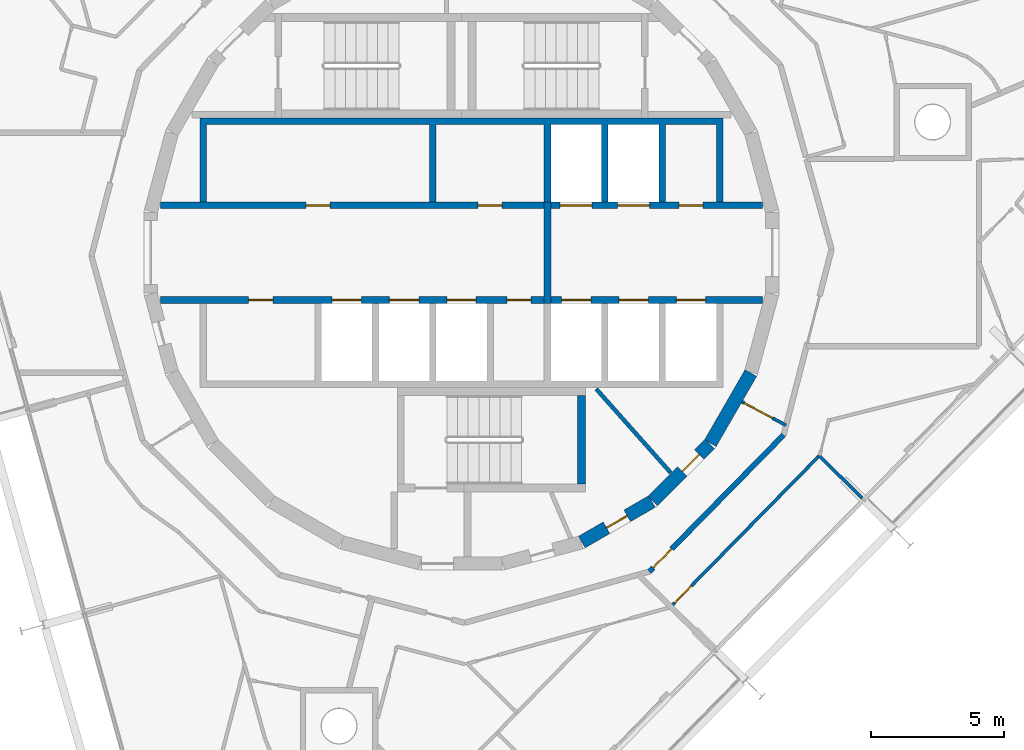
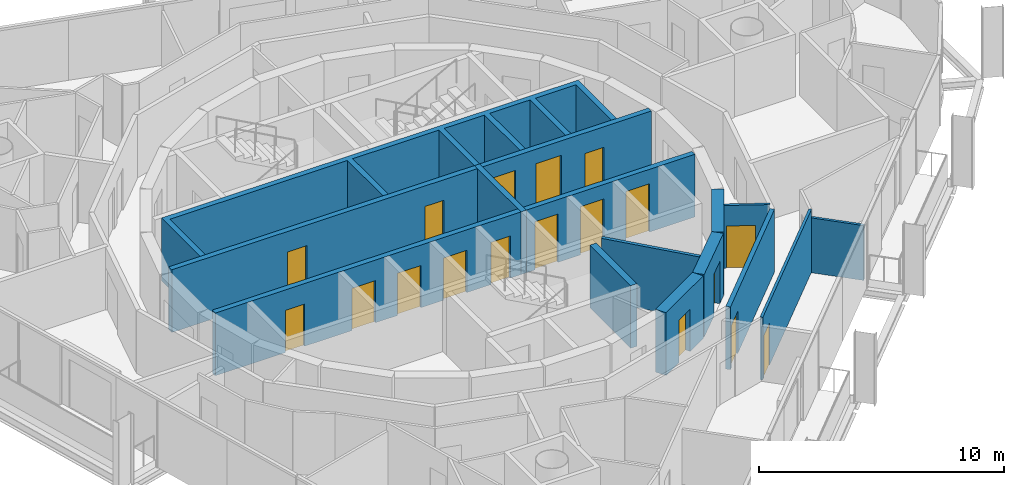
# One storey, part 11 of 15: 18 doors, 15 walls, 18 openings.
"""IFC4 building model written with IfcOpenShell, lengths in metres."""

from ifc_helpers import new_model, si_unit, direction, frame, frame_2d, origin, place, context, subcontext, project, spatial, polyline, rectangle, outline, extrude, material, layer, layer_set, type_object, element, fill, save


model = new_model("IFC4")

# Units and contexts
model_context = context("Model", 3, precision=1e-05, world=origin(), true_north=direction((0.0, 1.0)))
body_context = subcontext(model_context, "Body", "Model", "MODEL_VIEW")
ifc_project = project(units=[si_unit("LENGTHUNIT", "METRE"), si_unit("AREAUNIT", "SQUARE_METRE"), si_unit("VOLUMEUNIT", "CUBIC_METRE"), si_unit("PLANEANGLEUNIT", "RADIAN"), si_unit("MASSUNIT", "GRAM", prefix="KILO")], contexts=[model_context])

# Site, building, storey
site_placement = place(None, origin())
site = spatial("IfcSite", under=ifc_project, at=site_placement, CompositionType="ELEMENT")
building_placement = place(site_placement, origin())
building = spatial("IfcBuilding", under=site, at=building_placement, Name="Spindle Arch Residences", CompositionType="ELEMENT")
storey_placement = place(building_placement, frame((0.0, 0.0, 305.199951171875)))
storey = spatial("IfcBuildingStorey", under=building, at=storey_placement, Name="L78", CompositionType="ELEMENT", Elevation=305.199951171875)

# Wall, opening, door
ifc_material_1 = material(Name="Concrete C50/60", Category="concrete")
ifc_layer_1 = layer(ifc_material_1, 0.5)
ifc_layer_set_1 = layer_set([ifc_layer_1], Name="Core outline wall 500")
wall_type_1 = type_object("IfcWallType", Name="Core outline wall 500", PredefinedType="SHEAR", material=ifc_layer_set_1)
wall_1_placement = place(storey_placement, frame((4.510498046875, -10.84521484375, 0.0), z_axis=(0.0, 0.0, 1.0), x_axis=(0.865975092491, 0.500087131594, 0.0)))
wall_1 = element("IfcWall", 1, at=wall_1_placement, inside=storey, type_object=wall_type_1, Name="Core outline wall 2", PredefinedType="SHEAR", context=body_context, shape_type="SweptSolid", body=[
    extrude(rectangle(XDim=3.03271484375, YDim=0.5, at=frame_2d((1.516357421875, 0.0))), origin(), (0.0, 0.0, 1.0), 3.1201171875),
])
opening_1_placement = place(wall_1_placement, frame((1.06640625, 0.0, 0.0)))
opening_1 = element("IfcOpeningElement", 2, at=opening_1_placement, cuts=wall_1, Name="Opening R8A0-WD09", PredefinedType="OPENING", context=body_context, shape_type="SweptSolid", body=[
    extrude(rectangle(XDim=0.89990234375, YDim=2.10009765625, at=frame_2d((0.449951171875, 1.050048828125))), frame((0.0, 0.260009765625, 0.0), z_axis=(0.0, -1.0, 0.0), x_axis=(1.0, 0.0, 0.0)), (0.0, 0.0, 1.0), 0.52001953125),
])
ifc_material_2 = material(Name="Steel, fire-resisting door", Category="steel")
door_type_1 = type_object("IfcDoorType", Name="Service room door 900x2100", OperationType="SINGLE_SWING_LEFT", PredefinedType="DOOR", material=ifc_material_2)
door_1_placement = place(opening_1_placement, origin())
door_1 = element("IfcDoor", 3, at=door_1_placement, inside=storey, type_object=door_type_1, Name="Service room door R8A0-WD09", OperationType="SINGLE_SWING_LEFT", OverallHeight=2.10009765625, OverallWidth=0.89990234375, PredefinedType="DOOR", context=body_context, shape_type="SweptSolid", body=[
    extrude(rectangle(XDim=0.89990234375, YDim=2.10009765625, at=frame_2d((0.449951171875, 1.050048828125))), frame((0.0, 0.02490234375, 0.0), z_axis=(0.0, -1.0, 0.0), x_axis=(1.0, 0.0, 0.0)), (0.0, 0.0, 1.0), 0.050048828125),
])
fill(opening_1, door_1)

wall_2_placement = place(storey_placement, frame((7.163818359375, -9.30810546875, 0.0), z_axis=(0.0, 0.0, 1.0), x_axis=(0.707106781187, 0.707106781187, 0.0)))
wall_2 = element("IfcWall", 4, at=wall_2_placement, inside=storey, type_object=wall_type_1, Name="Core outline wall 3", PredefinedType="SHEAR", context=body_context, shape_type="SweptSolid", body=[
    extrude(rectangle(XDim=3.032470703125, YDim=0.5, at=frame_2d((1.51611328125, 0.0))), origin(), (0.0, 0.0, 1.0), 3.1201171875),
])
opening_2_placement = place(wall_2_placement, frame((1.56640625, 0.0, 0.0)))
opening_2 = element("IfcOpeningElement", 5, at=opening_2_placement, cuts=wall_2, Name="Opening R8A0-WD07", PredefinedType="OPENING", context=body_context, shape_type="SweptSolid", body=[
    extrude(rectangle(XDim=0.89990234375, YDim=2.10009765625, at=frame_2d((0.449951171875, 1.050048828125))), frame((0.0, 0.260009765625, 0.0), z_axis=(0.0, -1.0, 0.0), x_axis=(1.0, 0.0, 0.0)), (0.0, 0.0, 1.0), 0.52001953125),
])
door_2_placement = place(opening_2_placement, origin())
door_2 = element("IfcDoor", 6, at=door_2_placement, inside=storey, type_object=door_type_1, Name="Service room door R8A0-WD07", OperationType="SINGLE_SWING_LEFT", OverallHeight=2.10009765625, OverallWidth=0.89990234375, PredefinedType="DOOR", context=body_context, shape_type="SweptSolid", body=[
    extrude(rectangle(XDim=0.89990234375, YDim=2.10009765625, at=frame_2d((0.449951171875, 1.050048828125))), frame((0.0, 0.02490234375, 0.0), z_axis=(0.0, -1.0, 0.0), x_axis=(1.0, 0.0, 0.0)), (0.0, 0.0, 1.0), 0.050048828125),
])
fill(opening_2, door_2)

# Wall
wall_3_placement = place(storey_placement, frame((9.32861328125, -7.13671875, 0.0), z_axis=(0.0, 0.0, 1.0), x_axis=(0.500087131594, 0.865975092491, 0.0)))
element("IfcWall", 7, at=wall_3_placement, inside=storey, type_object=wall_type_1, Name="Core outline wall 4", PredefinedType="SHEAR", context=body_context, shape_type="SweptSolid", body=[
    extrude(rectangle(XDim=3.03271484375, YDim=0.5, at=frame_2d((1.516357421875, 0.0))), origin(), (0.0, 0.0, 1.0), 3.1201171875),
])

# Wall, opening, door
ifc_material_3 = material(Name="Plasterboard on steel studs", Category="steel")
ifc_layer_2 = layer(ifc_material_3, 0.1201171875)
ifc_layer_set_2 = layer_set([ifc_layer_2], Name="Corridor division wall 120")
wall_type_2 = type_object("IfcWallType", Name="Corridor division wall 120", PredefinedType="PARTITIONING", material=ifc_layer_set_2)
wall_4_placement = place(storey_placement, frame((10.510986328125, -5.5888671875, 0.0), z_axis=(0.0, 0.0, 1.0), x_axis=(0.882957311919, -0.469453283437, 0.0)))
wall_4 = element("IfcWall", 8, at=wall_4_placement, inside=storey, type_object=wall_type_2, Name="Corridor division wall R8A0-W002", PredefinedType="PARTITIONING", context=body_context, shape_type="SweptSolid", body=[
    extrude(rectangle(XDim=1.87646484375, YDim=0.1201171875, at=frame_2d((0.938232421875, 0.0))), origin(), (0.0, 0.0, 1.0), 3.1201171875),
])
opening_3_placement = place(wall_4_placement, frame((0.10009765625, 0.0, 0.0)))
opening_3 = element("IfcOpeningElement", 9, at=opening_3_placement, cuts=wall_4, Name="Opening R8A0-CD02", PredefinedType="OPENING", context=body_context, shape_type="SweptSolid", body=[
    extrude(rectangle(XDim=1.199951171875, YDim=2.10009765625, at=frame_2d((0.60009765625, 1.050048828125))), frame((0.0, 0.070068359375, 0.0), z_axis=(0.0, -1.0, 0.0), x_axis=(1.0, 0.0, 0.0)), (0.0, 0.0, 1.0), 0.14013671875),
])
ifc_material_4 = material(Name="Steel, fire-resisting door", Category="steel")
door_type_2 = type_object("IfcDoorType", Name="Corridor division door 1200x2100", OperationType="NOTDEFINED", PredefinedType="DOOR", material=ifc_material_4)
door_3_placement = place(opening_3_placement, origin())
door_3 = element("IfcDoor", 10, at=door_3_placement, inside=storey, type_object=door_type_2, Name="Corridor division door R8A0-CD02", OperationType="DOUBLE_DOOR_SINGLE_SWING", OverallHeight=2.10009765625, OverallWidth=1.199951171875, PredefinedType="DOOR", context=body_context, shape_type="SweptSolid", body=[
    extrude(rectangle(XDim=1.199951171875, YDim=2.10009765625, at=frame_2d((0.60009765625, 1.050048828125))), frame((0.0, 0.02490234375, 0.0), z_axis=(0.0, -1.0, 0.0), x_axis=(1.0, 0.0, 0.0)), (0.0, 0.0, 1.0), 0.050048828125),
])
fill(opening_3, door_3)

ifc_material_5 = material(Name="Calcium silicate block, plastered")
ifc_layer_3 = layer(ifc_material_5, 0.199951171875)
ifc_layer_set_3 = layer_set([ifc_layer_3], Name="Corridor wall 200")
wall_type_3 = type_object("IfcWallType", Name="Corridor wall 200", PredefinedType="STANDARD", material=ifc_layer_set_3)
wall_5_placement = place(storey_placement, frame((7.041015625, -11.953125, 0.0), z_axis=(0.0, 0.0, 1.0), x_axis=(0.70090916255, 0.713250549143, 0.0)))
wall_5 = element("IfcWall", 11, at=wall_5_placement, inside=storey, type_object=wall_type_3, Name="Corridor wall R8A0-W016", PredefinedType="STANDARD", context=body_context, shape_type="SweptSolid", body=[
    extrude(rectangle(XDim=7.180908203125, YDim=0.199951171875, at=frame_2d((3.59033203125, 0.0))), origin(), (0.0, 0.0, 1.0), 3.1201171875),
])
opening_4_placement = place(wall_5_placement, frame((0.199951171875, 0.0, 0.0)))
opening_4 = element("IfcOpeningElement", 12, at=opening_4_placement, cuts=wall_5, Name="Opening R8A0-FD06", PredefinedType="OPENING", context=body_context, shape_type="SweptSolid", body=[
    extrude(rectangle(XDim=1.0, YDim=2.10009765625, at=frame_2d((0.5, 1.050048828125))), frame((0.0, 0.10986328125, 0.0), z_axis=(0.0, -1.0, 0.0), x_axis=(1.0, 0.0, 0.0)), (0.0, 0.0, 1.0), 0.219970703125),
])
ifc_material_6 = material(Name="Timber, fire-resisting door set", Category="wood")
door_type_3 = type_object("IfcDoorType", Name="Flat entrance door 1000x2100", OperationType="NOTDEFINED", PredefinedType="DOOR", material=ifc_material_6)
door_4_placement = place(opening_4_placement, origin())
door_4 = element("IfcDoor", 13, at=door_4_placement, inside=storey, type_object=door_type_3, Name="Flat entrance door R8A0-FD06", OperationType="SINGLE_SWING_LEFT", OverallHeight=2.10009765625, OverallWidth=1.0, PredefinedType="DOOR", context=body_context, shape_type="SweptSolid", body=[
    extrude(rectangle(XDim=1.0, YDim=2.10009765625, at=frame_2d((0.5, 1.050048828125))), frame((0.0, 0.02490234375, 0.0), z_axis=(0.0, -1.0, 0.0), x_axis=(1.0, 0.0, 0.0)), (0.0, 0.0, 1.0), 0.050048828125),
])
fill(opening_4, door_4)

# Wall, openings, doors
ifc_material_7 = material(Name="Concrete C40/50", Category="concrete")
ifc_layer_4 = layer(ifc_material_7, 0.25)
ifc_layer_set_4 = layer_set([ifc_layer_4], Name="Fire-lift lobby wall 250")
wall_type_4 = type_object("IfcWallType", Name="Fire-lift lobby wall 250", PredefinedType="SHEAR", material=ifc_layer_set_4)
wall_6_placement = place(storey_placement, frame((3.35009765625, 1.77490234375, 0.0), z_axis=(0.0, 0.0, 1.0), x_axis=(1.0, 0.0, 0.0)))
wall_6 = element("IfcWall", 14, at=wall_6_placement, inside=storey, type_object=wall_type_4, Name="Lift shaft front wall NE", PredefinedType="SHEAR", context=body_context, shape_type="SweptSolid", body=[
    extrude(rectangle(XDim=7.929931640625, YDim=0.25, at=frame_2d((3.96484375, 0.0))), origin(), (0.0, 0.0, 1.0), 3.1201171875),
])
opening_5_placement = place(wall_6_placement, frame((0.35009765625, 0.0, 0.0)))
opening_5 = element("IfcOpeningElement", 15, at=opening_5_placement, cuts=wall_6, Name="Opening R8A0-SLD01", PredefinedType="OPENING", context=body_context, shape_type="SweptSolid", body=[
    extrude(rectangle(XDim=1.199951171875, YDim=2.39990234375, at=frame_2d((0.60009765625, 1.199951171875))), frame((0.0, 0.135009765625, 0.0), z_axis=(0.0, -1.0, 0.0), x_axis=(1.0, 0.0, 0.0)), (0.0, 0.0, 1.0), 0.27001953125),
])
opening_6_placement = place(wall_6_placement, frame((2.5, 0.0, 0.0)))
opening_6 = element("IfcOpeningElement", 16, at=opening_6_placement, cuts=wall_6, Name="Opening R8A0-SLD02", PredefinedType="OPENING", context=body_context, shape_type="SweptSolid", body=[
    extrude(rectangle(XDim=1.199951171875, YDim=2.39990234375, at=frame_2d((0.60009765625, 1.199951171875))), frame((0.0, 0.135009765625, 0.0), z_axis=(0.0, -1.0, 0.0), x_axis=(1.0, 0.0, 0.0)), (0.0, 0.0, 1.0), 0.27001953125),
])
opening_7_placement = place(wall_6_placement, frame((4.800048828125, 0.0, 0.0)))
opening_7 = element("IfcOpeningElement", 17, at=opening_7_placement, cuts=wall_6, Name="Opening R8A0-WD03", PredefinedType="OPENING", context=body_context, shape_type="SweptSolid", body=[
    extrude(rectangle(XDim=0.89990234375, YDim=2.10009765625, at=frame_2d((0.449951171875, 1.050048828125))), frame((0.0, 0.135009765625, 0.0), z_axis=(0.0, -1.0, 0.0), x_axis=(1.0, 0.0, 0.0)), (0.0, 0.0, 1.0), 0.27001953125),
])
ifc_material_8 = material(Name="Steel, fire-resisting landing door", Category="steel")
door_type_4 = type_object("IfcDoorType", Name="Service lift landing door 1200x2400", OperationType="DOUBLE_DOOR_SLIDING", PredefinedType="DOOR", material=ifc_material_8)
door_5_placement = place(opening_5_placement, origin())
door_5 = element("IfcDoor", 18, at=door_5_placement, inside=storey, type_object=door_type_4, Name="Service lift landing door R8A0-SLD01", OperationType="DOUBLE_DOOR_SLIDING", OverallHeight=2.39990234375, OverallWidth=1.199951171875, PredefinedType="DOOR", context=body_context, shape_type="SweptSolid", body=[
    extrude(rectangle(XDim=1.199951171875, YDim=2.39990234375, at=frame_2d((0.60009765625, 1.199951171875))), frame((0.0, 0.02490234375, 0.0), z_axis=(0.0, -1.0, 0.0), x_axis=(1.0, 0.0, 0.0)), (0.0, 0.0, 1.0), 0.050048828125),
])
fill(opening_5, door_5)
door_6_placement = place(opening_6_placement, origin())
door_6 = element("IfcDoor", 19, at=door_6_placement, inside=storey, type_object=door_type_4, Name="Service lift landing door R8A0-SLD02", OperationType="DOUBLE_DOOR_SLIDING", OverallHeight=2.39990234375, OverallWidth=1.199951171875, PredefinedType="DOOR", context=body_context, shape_type="SweptSolid", body=[
    extrude(rectangle(XDim=1.199951171875, YDim=2.39990234375, at=frame_2d((0.60009765625, 1.199951171875))), frame((0.0, 0.02490234375, 0.0), z_axis=(0.0, -1.0, 0.0), x_axis=(1.0, 0.0, 0.0)), (0.0, 0.0, 1.0), 0.050048828125),
])
fill(opening_6, door_6)
door_7_placement = place(opening_7_placement, origin())
door_7 = element("IfcDoor", 20, at=door_7_placement, inside=storey, type_object=door_type_1, Name="Service room door R8A0-WD03", OperationType="SINGLE_SWING_LEFT", OverallHeight=2.10009765625, OverallWidth=0.89990234375, PredefinedType="DOOR", context=body_context, shape_type="SweptSolid", body=[
    extrude(rectangle(XDim=0.89990234375, YDim=2.10009765625, at=frame_2d((0.449951171875, 1.050048828125))), frame((0.0, 0.02490234375, 0.0), z_axis=(0.0, -1.0, 0.0), x_axis=(1.0, 0.0, 0.0)), (0.0, 0.0, 1.0), 0.050048828125),
])
fill(opening_7, door_7)

# Wall
wall_7_placement = place(storey_placement, frame((3.22509765625, -1.89990234375, 0.0), z_axis=(0.0, 0.0, 1.0), x_axis=(0.0, 1.0, 0.0)))
element("IfcWall", 21, at=wall_7_placement, inside=storey, type_object=wall_type_4, Name="Fire-fighting lobby partition", PredefinedType="SHEAR", context=body_context, shape_type="SweptSolid", body=[
    extrude(rectangle(XDim=3.7998046875, YDim=0.25, at=frame_2d((1.89990234375, 0.0))), origin(), (0.0, 0.0, 1.0), 3.1201171875),
])

# Wall, openings, doors
ifc_material_9 = material(Name="Concrete C50/60", Category="concrete")
ifc_layer_5 = layer(ifc_material_9, 0.25)
ifc_layer_set_5 = layer_set([ifc_layer_5], Name="Fire-lift shaft wall 250")
wall_type_5 = type_object("IfcWallType", Name="Fire-lift shaft wall 250", PredefinedType="SHEAR", material=ifc_layer_set_5)
wall_8_placement = place(storey_placement, frame((3.35009765625, -1.77490234375, 0.0), z_axis=(0.0, 0.0, 1.0), x_axis=(1.0, 0.0, 0.0)))
wall_8 = element("IfcWall", 22, at=wall_8_placement, inside=storey, type_object=wall_type_5, Name="Lift shaft front wall SE", PredefinedType="SHEAR", context=body_context, shape_type="SweptSolid", body=[
    extrude(rectangle(XDim=7.929931640625, YDim=0.25, at=frame_2d((3.96484375, 0.0))), origin(), (0.0, 0.0, 1.0), 3.1201171875),
])
opening_8_placement = place(wall_8_placement, frame((0.39990234375, 0.0, 0.0)))
opening_8 = element("IfcOpeningElement", 23, at=opening_8_placement, cuts=wall_8, Name="Opening R8A0-FLD01", PredefinedType="OPENING", context=body_context, shape_type="SweptSolid", body=[
    extrude(rectangle(XDim=1.10009765625, YDim=2.39990234375, at=frame_2d((0.550048828125, 1.199951171875))), frame((0.0, 0.135009765625, 0.0), z_axis=(0.0, -1.0, 0.0), x_axis=(1.0, 0.0, 0.0)), (0.0, 0.0, 1.0), 0.27001953125),
])
opening_9_placement = place(wall_8_placement, frame((2.550048828125, 0.0, 0.0)))
opening_9 = element("IfcOpeningElement", 24, at=opening_9_placement, cuts=wall_8, Name="Opening R8A0-FLD02", PredefinedType="OPENING", context=body_context, shape_type="SweptSolid", body=[
    extrude(rectangle(XDim=1.10009765625, YDim=2.39990234375, at=frame_2d((0.550048828125, 1.199951171875))), frame((0.0, 0.135009765625, 0.0), z_axis=(0.0, -1.0, 0.0), x_axis=(1.0, 0.0, 0.0)), (0.0, 0.0, 1.0), 0.27001953125),
])
opening_10_placement = place(wall_8_placement, frame((4.699951171875, 0.0, 0.0)))
opening_10 = element("IfcOpeningElement", 25, at=opening_10_placement, cuts=wall_8, Name="Opening R8A0-FLD03", PredefinedType="OPENING", context=body_context, shape_type="SweptSolid", body=[
    extrude(rectangle(XDim=1.10009765625, YDim=2.39990234375, at=frame_2d((0.550048828125, 1.199951171875))), frame((0.0, 0.135009765625, 0.0), z_axis=(0.0, -1.0, 0.0), x_axis=(1.0, 0.0, 0.0)), (0.0, 0.0, 1.0), 0.27001953125),
])
ifc_material_10 = material(Name="Steel, fire-resisting landing door", Category="steel")
door_type_5 = type_object("IfcDoorType", Name="Fire-fighting lift landing door 1100x2400", OperationType="DOUBLE_DOOR_SLIDING", PredefinedType="DOOR", material=ifc_material_10)
door_8_placement = place(opening_8_placement, origin())
door_8 = element("IfcDoor", 26, at=door_8_placement, inside=storey, type_object=door_type_5, Name="Fire-fighting lift landing door R8A0-FLD01", OperationType="DOUBLE_DOOR_SLIDING", OverallHeight=2.39990234375, OverallWidth=1.10009765625, PredefinedType="DOOR", context=body_context, shape_type="SweptSolid", body=[
    extrude(rectangle(XDim=1.10009765625, YDim=2.39990234375, at=frame_2d((0.550048828125, 1.199951171875))), frame((0.0, 0.02490234375, 0.0), z_axis=(0.0, -1.0, 0.0), x_axis=(1.0, 0.0, 0.0)), (0.0, 0.0, 1.0), 0.050048828125),
])
fill(opening_8, door_8)
door_9_placement = place(opening_9_placement, origin())
door_9 = element("IfcDoor", 27, at=door_9_placement, inside=storey, type_object=door_type_5, Name="Fire-fighting lift landing door R8A0-FLD02", OperationType="DOUBLE_DOOR_SLIDING", OverallHeight=2.39990234375, OverallWidth=1.10009765625, PredefinedType="DOOR", context=body_context, shape_type="SweptSolid", body=[
    extrude(rectangle(XDim=1.10009765625, YDim=2.39990234375, at=frame_2d((0.550048828125, 1.199951171875))), frame((0.0, 0.02490234375, 0.0), z_axis=(0.0, -1.0, 0.0), x_axis=(1.0, 0.0, 0.0)), (0.0, 0.0, 1.0), 0.050048828125),
])
fill(opening_9, door_9)
door_10_placement = place(opening_10_placement, origin())
door_10 = element("IfcDoor", 28, at=door_10_placement, inside=storey, type_object=door_type_5, Name="Fire-fighting lift landing door R8A0-FLD03", OperationType="DOUBLE_DOOR_SLIDING", OverallHeight=2.39990234375, OverallWidth=1.10009765625, PredefinedType="DOOR", context=body_context, shape_type="SweptSolid", body=[
    extrude(rectangle(XDim=1.10009765625, YDim=2.39990234375, at=frame_2d((0.550048828125, 1.199951171875))), frame((0.0, 0.02490234375, 0.0), z_axis=(0.0, -1.0, 0.0), x_axis=(1.0, 0.0, 0.0)), (0.0, 0.0, 1.0), 0.050048828125),
])
fill(opening_10, door_10)

# Wall, opening, door
ifc_material_11 = material(Name="Plasterboard on steel studs", Category="steel")
ifc_layer_6 = layer(ifc_material_11, 0.1201171875)
ifc_layer_set_6 = layer_set([ifc_layer_6], Name="Flat partition 120")
wall_type_6 = type_object("IfcWallType", Name="Flat partition 120", PredefinedType="PARTITIONING", material=ifc_layer_set_6)
wall_9_placement = place(storey_placement, frame((7.846435546875, -13.2734375, 0.0), z_axis=(0.0, 0.0, 1.0), x_axis=(0.700911018066, 0.713248725728, 0.0)))
wall_9 = element("IfcWall", 29, at=wall_9_placement, inside=storey, type_object=wall_type_6, Name="Flat partition R8A0-W096", PredefinedType="PARTITIONING", context=body_context, shape_type="SweptSolid", body=[
    extrude(rectangle(XDim=7.93505859375, YDim=0.1201171875, at=frame_2d((3.967529296875, 0.0))), origin(), (0.0, 0.0, 1.0), 3.1201171875),
])
opening_11_placement = place(wall_9_placement, frame((0.199951171875, 0.0, 0.0)))
opening_11 = element("IfcOpeningElement", 30, at=opening_11_placement, cuts=wall_9, Name="Opening R8A0-ID21", PredefinedType="OPENING", context=body_context, shape_type="SweptSolid", body=[
    extrude(rectangle(XDim=0.89990234375, YDim=2.10009765625, at=frame_2d((0.449951171875, 1.050048828125))), frame((0.0, 0.070068359375, 0.0), z_axis=(0.0, -1.0, 0.0), x_axis=(1.0, 0.0, 0.0)), (0.0, 0.0, 1.0), 0.14013671875),
])
ifc_material_12 = material(Name="Timber door set", Category="wood")
door_type_6 = type_object("IfcDoorType", Name="Room door 900x2100", OperationType="NOTDEFINED", PredefinedType="DOOR", material=ifc_material_12)
door_11_placement = place(opening_11_placement, origin())
door_11 = element("IfcDoor", 31, at=door_11_placement, inside=storey, type_object=door_type_6, Name="Room door R8A0-ID21", OperationType="SINGLE_SWING_LEFT", OverallHeight=2.10009765625, OverallWidth=0.89990234375, PredefinedType="DOOR", context=body_context, shape_type="SweptSolid", body=[
    extrude(rectangle(XDim=0.89990234375, YDim=2.10009765625, at=frame_2d((0.449951171875, 1.050048828125))), frame((0.0, 0.02490234375, 0.0), z_axis=(0.0, -1.0, 0.0), x_axis=(1.0, 0.0, 0.0)), (0.0, 0.0, 1.0), 0.050048828125),
])
fill(opening_11, door_11)

# Wall
ifc_material_13 = material(Name="Plasterboard on steel studs", Category="steel")
ifc_layer_7 = layer(ifc_material_13, 0.1201171875)
ifc_layer_set_7 = layer_set([ifc_layer_7], Name="Flat partition 120 under beam 2730")
wall_type_7 = type_object("IfcWallType", Name="Flat partition 120 under beam 2730", PredefinedType="PARTITIONING", material=ifc_layer_set_7)
wall_10_placement = place(storey_placement, frame((15.023681640625, -9.200927734375, 0.0), z_axis=(0.0, 0.0, 1.0), x_axis=(-0.713331704042, 0.700826569137, 0.0)))
element("IfcWall", 32, at=wall_10_placement, inside=storey, type_object=wall_type_7, Name="Flat partition R8A0-W109", PredefinedType="PARTITIONING", context=body_context, shape_type="SweptSolid", body=[
    extrude(rectangle(XDim=2.2646484375, YDim=0.1201171875, at=frame_2d((1.13232421875, 0.0))), origin(), (0.0, 0.0, 1.0), 2.72998046875),
])

# Wall, openings, doors
ifc_material_14 = material(Name="Concrete C50/60", Category="concrete")
ifc_layer_8 = layer(ifc_material_14, 0.25)
ifc_layer_set_8 = layer_set([ifc_layer_8], Name="Lift shaft wall 250")
wall_type_8 = type_object("IfcWallType", Name="Lift shaft wall 250", PredefinedType="SHEAR", material=ifc_layer_set_8)
wall_11_placement = place(storey_placement, frame((-11.280029296875, 1.77490234375, 0.0), z_axis=(0.0, 0.0, 1.0), x_axis=(1.0, 0.0, 0.0)))
wall_11 = element("IfcWall", 33, at=wall_11_placement, inside=storey, type_object=wall_type_8, Name="Lift shaft front wall NW", PredefinedType="SHEAR", context=body_context, shape_type="SweptSolid", body=[
    extrude(rectangle(XDim=14.380126953125, YDim=0.25, at=frame_2d((7.18994140625, 0.0))), origin(), (0.0, 0.0, 1.0), 3.1201171875),
])
opening_12_placement = place(wall_11_placement, frame((5.455078125, 0.0, 0.0)))
opening_12 = element("IfcOpeningElement", 34, at=opening_12_placement, cuts=wall_11, Name="Opening R8A0-WD01", PredefinedType="OPENING", context=body_context, shape_type="SweptSolid", body=[
    extrude(rectangle(XDim=0.89990234375, YDim=2.10009765625, at=frame_2d((0.449951171875, 1.050048828125))), frame((0.0, 0.135009765625, 0.0), z_axis=(0.0, -1.0, 0.0), x_axis=(1.0, 0.0, 0.0)), (0.0, 0.0, 1.0), 0.27001953125),
])
opening_13_placement = place(wall_11_placement, frame((11.905029296875, 0.0, 0.0)))
opening_13 = element("IfcOpeningElement", 35, at=opening_13_placement, cuts=wall_11, Name="Opening R8A0-WD02", PredefinedType="OPENING", context=body_context, shape_type="SweptSolid", body=[
    extrude(rectangle(XDim=0.89990234375, YDim=2.10009765625, at=frame_2d((0.449951171875, 1.050048828125))), frame((0.0, 0.135009765625, 0.0), z_axis=(0.0, -1.0, 0.0), x_axis=(1.0, 0.0, 0.0)), (0.0, 0.0, 1.0), 0.27001953125),
])
door_12_placement = place(opening_12_placement, origin())
door_12 = element("IfcDoor", 36, at=door_12_placement, inside=storey, type_object=door_type_1, Name="Service room door R8A0-WD01", OperationType="SINGLE_SWING_LEFT", OverallHeight=2.10009765625, OverallWidth=0.89990234375, PredefinedType="DOOR", context=body_context, shape_type="SweptSolid", body=[
    extrude(rectangle(XDim=0.89990234375, YDim=2.10009765625, at=frame_2d((0.449951171875, 1.050048828125))), frame((0.0, 0.02490234375, 0.0), z_axis=(0.0, -1.0, 0.0), x_axis=(1.0, 0.0, 0.0)), (0.0, 0.0, 1.0), 0.050048828125),
])
fill(opening_12, door_12)
door_13_placement = place(opening_13_placement, origin())
door_13 = element("IfcDoor", 37, at=door_13_placement, inside=storey, type_object=door_type_1, Name="Service room door R8A0-WD02", OperationType="SINGLE_SWING_RIGHT", OverallHeight=2.10009765625, OverallWidth=0.89990234375, PredefinedType="DOOR", context=body_context, shape_type="SweptSolid", body=[
    extrude(rectangle(XDim=0.89990234375, YDim=2.10009765625, at=frame_2d((0.449951171875, 1.050048828125))), frame((0.0, 0.02490234375, 0.0), z_axis=(0.0, -1.0, 0.0), x_axis=(1.0, 0.0, 0.0)), (0.0, 0.0, 1.0), 0.050048828125),
])
fill(opening_13, door_13)

wall_12_placement = place(storey_placement, frame((-11.280029296875, -1.77490234375, 0.0), z_axis=(0.0, 0.0, 1.0), x_axis=(1.0, 0.0, 0.0)))
wall_12 = element("IfcWall", 38, at=wall_12_placement, inside=storey, type_object=wall_type_8, Name="Lift shaft front wall SW", PredefinedType="SHEAR", context=body_context, shape_type="SweptSolid", body=[
    extrude(rectangle(XDim=14.380126953125, YDim=0.25, at=frame_2d((7.18994140625, 0.0))), origin(), (0.0, 0.0, 1.0), 3.1201171875),
])
opening_14_placement = place(wall_12_placement, frame((6.429931640625, 0.0, 0.0)))
opening_14 = element("IfcOpeningElement", 39, at=opening_14_placement, cuts=wall_12, Name="Opening R8A0-LD01", PredefinedType="OPENING", context=body_context, shape_type="SweptSolid", body=[
    extrude(rectangle(XDim=1.10009765625, YDim=2.10009765625, at=frame_2d((0.550048828125, 1.050048828125))), frame((0.0, 0.135009765625, 0.0), z_axis=(0.0, -1.0, 0.0), x_axis=(1.0, 0.0, 0.0)), (0.0, 0.0, 1.0), 0.27001953125),
])
opening_15_placement = place(wall_12_placement, frame((8.580078125, 0.0, 0.0)))
opening_15 = element("IfcOpeningElement", 40, at=opening_15_placement, cuts=wall_12, Name="Opening R8A0-LD02", PredefinedType="OPENING", context=body_context, shape_type="SweptSolid", body=[
    extrude(rectangle(XDim=1.10009765625, YDim=2.10009765625, at=frame_2d((0.550048828125, 1.050048828125))), frame((0.0, 0.135009765625, 0.0), z_axis=(0.0, -1.0, 0.0), x_axis=(1.0, 0.0, 0.0)), (0.0, 0.0, 1.0), 0.27001953125),
])
opening_16_placement = place(wall_12_placement, frame((10.72998046875, 0.0, 0.0)))
opening_16 = element("IfcOpeningElement", 41, at=opening_16_placement, cuts=wall_12, Name="Opening R8A0-LD03", PredefinedType="OPENING", context=body_context, shape_type="SweptSolid", body=[
    extrude(rectangle(XDim=1.10009765625, YDim=2.10009765625, at=frame_2d((0.550048828125, 1.050048828125))), frame((0.0, 0.135009765625, 0.0), z_axis=(0.0, -1.0, 0.0), x_axis=(1.0, 0.0, 0.0)), (0.0, 0.0, 1.0), 0.27001953125),
])
opening_17_placement = place(wall_12_placement, frame((3.304931640625, 0.0, 0.0)))
opening_17 = element("IfcOpeningElement", 42, at=opening_17_placement, cuts=wall_12, Name="Opening R8A0-WD04", PredefinedType="OPENING", context=body_context, shape_type="SweptSolid", body=[
    extrude(rectangle(XDim=0.89990234375, YDim=2.10009765625, at=frame_2d((0.449951171875, 1.050048828125))), frame((0.0, 0.135009765625, 0.0), z_axis=(0.0, -1.0, 0.0), x_axis=(1.0, 0.0, 0.0)), (0.0, 0.0, 1.0), 0.27001953125),
])
opening_18_placement = place(wall_12_placement, frame((12.97998046875, 0.0, 0.0)))
opening_18 = element("IfcOpeningElement", 43, at=opening_18_placement, cuts=wall_12, Name="Opening R8A0-WD05", PredefinedType="OPENING", context=body_context, shape_type="SweptSolid", body=[
    extrude(rectangle(XDim=0.89990234375, YDim=2.10009765625, at=frame_2d((0.449951171875, 1.050048828125))), frame((0.0, 0.135009765625, 0.0), z_axis=(0.0, -1.0, 0.0), x_axis=(1.0, 0.0, 0.0)), (0.0, 0.0, 1.0), 0.27001953125),
])
ifc_material_15 = material(Name="Steel, fire-resisting landing door", Category="steel")
door_type_7 = type_object("IfcDoorType", Name="Lift landing door 1100x2100", OperationType="DOUBLE_DOOR_SLIDING", PredefinedType="DOOR", material=ifc_material_15)
door_14_placement = place(opening_14_placement, origin())
door_14 = element("IfcDoor", 44, at=door_14_placement, inside=storey, type_object=door_type_7, Name="Lift landing door R8A0-LD01", OperationType="DOUBLE_DOOR_SLIDING", OverallHeight=2.10009765625, OverallWidth=1.10009765625, PredefinedType="DOOR", context=body_context, shape_type="SweptSolid", body=[
    extrude(rectangle(XDim=1.10009765625, YDim=2.10009765625, at=frame_2d((0.550048828125, 1.050048828125))), frame((0.0, 0.02490234375, 0.0), z_axis=(0.0, -1.0, 0.0), x_axis=(1.0, 0.0, 0.0)), (0.0, 0.0, 1.0), 0.050048828125),
])
fill(opening_14, door_14)
door_15_placement = place(opening_15_placement, origin())
door_15 = element("IfcDoor", 45, at=door_15_placement, inside=storey, type_object=door_type_7, Name="Lift landing door R8A0-LD02", OperationType="DOUBLE_DOOR_SLIDING", OverallHeight=2.10009765625, OverallWidth=1.10009765625, PredefinedType="DOOR", context=body_context, shape_type="SweptSolid", body=[
    extrude(rectangle(XDim=1.10009765625, YDim=2.10009765625, at=frame_2d((0.550048828125, 1.050048828125))), frame((0.0, 0.02490234375, 0.0), z_axis=(0.0, -1.0, 0.0), x_axis=(1.0, 0.0, 0.0)), (0.0, 0.0, 1.0), 0.050048828125),
])
fill(opening_15, door_15)
door_16_placement = place(opening_16_placement, origin())
door_16 = element("IfcDoor", 46, at=door_16_placement, inside=storey, type_object=door_type_7, Name="Lift landing door R8A0-LD03", OperationType="DOUBLE_DOOR_SLIDING", OverallHeight=2.10009765625, OverallWidth=1.10009765625, PredefinedType="DOOR", context=body_context, shape_type="SweptSolid", body=[
    extrude(rectangle(XDim=1.10009765625, YDim=2.10009765625, at=frame_2d((0.550048828125, 1.050048828125))), frame((0.0, 0.02490234375, 0.0), z_axis=(0.0, -1.0, 0.0), x_axis=(1.0, 0.0, 0.0)), (0.0, 0.0, 1.0), 0.050048828125),
])
fill(opening_16, door_16)
door_17_placement = place(opening_17_placement, origin())
door_17 = element("IfcDoor", 47, at=door_17_placement, inside=storey, type_object=door_type_1, Name="Service room door R8A0-WD04", OperationType="SINGLE_SWING_RIGHT", OverallHeight=2.10009765625, OverallWidth=0.89990234375, PredefinedType="DOOR", context=body_context, shape_type="SweptSolid", body=[
    extrude(rectangle(XDim=0.89990234375, YDim=2.10009765625, at=frame_2d((0.449951171875, 1.050048828125))), frame((0.0, 0.02490234375, 0.0), z_axis=(0.0, -1.0, 0.0), x_axis=(1.0, 0.0, 0.0)), (0.0, 0.0, 1.0), 0.050048828125),
])
fill(opening_17, door_17)
door_18_placement = place(opening_18_placement, origin())
door_18 = element("IfcDoor", 48, at=door_18_placement, inside=storey, type_object=door_type_1, Name="Service room door R8A0-WD05", OperationType="SINGLE_SWING_LEFT", OverallHeight=2.10009765625, OverallWidth=0.89990234375, PredefinedType="DOOR", context=body_context, shape_type="SweptSolid", body=[
    extrude(rectangle(XDim=0.89990234375, YDim=2.10009765625, at=frame_2d((0.449951171875, 1.050048828125))), frame((0.0, 0.02490234375, 0.0), z_axis=(0.0, -1.0, 0.0), x_axis=(1.0, 0.0, 0.0)), (0.0, 0.0, 1.0), 0.050048828125),
])
fill(opening_18, door_18)

# Walls
ifc_material_16 = material(Name="Concrete C50/60", Category="concrete")
wall_type_9 = type_object("IfcWallType", Name="Lift shaft wall profile", PredefinedType="SHEAR", material=ifc_material_16)
wall_13_placement = place(storey_placement, origin())
element("IfcWall", 49, at=wall_13_placement, inside=storey, type_object=wall_type_9, Name="Lift shaft walls N", PredefinedType="SHEAR", context=body_context, shape_type="SweptSolid", body=[
    extrude(outline(polyline([(-9.800048828125, 1.89990234375), (-9.550048828125, 1.89990234375), (-9.550048828125, 4.800048828125), (-1.199951171875, 4.800048828125), (-1.199951171875, 1.89990234375), (-0.949951171875, 1.89990234375), (-0.949951171875, 4.800048828125), (3.10009765625, 4.800048828125), (3.10009765625, 1.89990234375), (3.35009765625, 1.89990234375), (3.35009765625, 4.800048828125), (5.25, 4.800048828125), (5.25, 1.89990234375), (5.5, 1.89990234375), (5.5, 4.800048828125), (7.39990234375, 4.800048828125), (7.39990234375, 1.89990234375), (7.64990234375, 1.89990234375), (7.64990234375, 4.800048828125), (9.550048828125, 4.800048828125), (9.550048828125, 1.89990234375), (9.800048828125, 1.89990234375), (9.800048828125, 4.800048828125), (9.800048828125, 5.050048828125), (-9.800048828125, 5.050048828125), (-9.800048828125, 4.800048828125), (-9.800048828125, 1.89990234375)])), origin(), (0.0, 0.0, 1.0), 3.1201171875),
])
ifc_material_17 = material(Name="Concrete C25/30", Category="concrete")
ifc_layer_9 = layer(ifc_material_17, 0.14990234375)
ifc_layer_set_9 = layer_set([ifc_layer_9], Name="Service room partition 150")
wall_type_10 = type_object("IfcWallType", Name="Service room partition 150", PredefinedType="PARTITIONING", material=ifc_layer_set_9)
wall_14_placement = place(storey_placement, frame((7.84228515625, -8.24755859375, 0.0), z_axis=(0.0, 0.0, 1.0), x_axis=(-0.66446128181, 0.747322691329, 0.0)))
element("IfcWall", 50, at=wall_14_placement, inside=storey, type_object=wall_type_10, Name="Core service room partition", PredefinedType="PARTITIONING", context=body_context, shape_type="SweptSolid", body=[
    extrude(rectangle(XDim=4.198486328125, YDim=0.14990234375, at=frame_2d((2.09912109375, 0.0))), origin(), (0.0, 0.0, 1.0), 3.1201171875),
])
ifc_material_18 = material(Name="Concrete C50/60", Category="concrete")
ifc_layer_10 = layer(ifc_material_18, 0.300048828125)
ifc_layer_set_10 = layer_set([ifc_layer_10], Name="Stair enclosure wall 300")
wall_type_11 = type_object("IfcWallType", Name="Stair enclosure wall 300", PredefinedType="SHEAR", material=ifc_layer_set_10)
wall_15_placement = place(storey_placement, frame((4.5, -8.669921875, 0.0), z_axis=(0.0, 0.0, 1.0), x_axis=(0.0, 1.0, 0.0)))
element("IfcWall", 51, at=wall_15_placement, inside=storey, type_object=wall_type_11, Name="Stair ST-3 enclosure wall E", PredefinedType="SHEAR", context=body_context, shape_type="SweptSolid", body=[
    extrude(rectangle(XDim=3.31982421875, YDim=0.300048828125, at=frame_2d((1.659912109375, 0.0))), origin(), (0.0, 0.0, 1.0), 3.1201171875),
])

save(model, "model.ifc")
